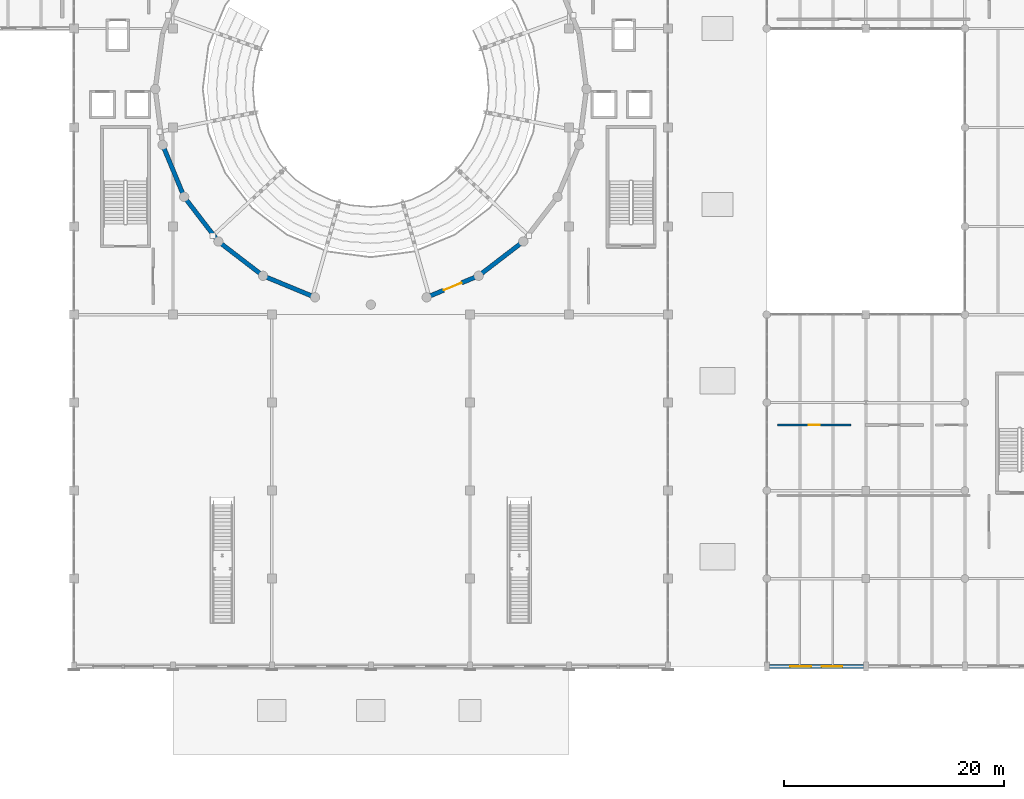
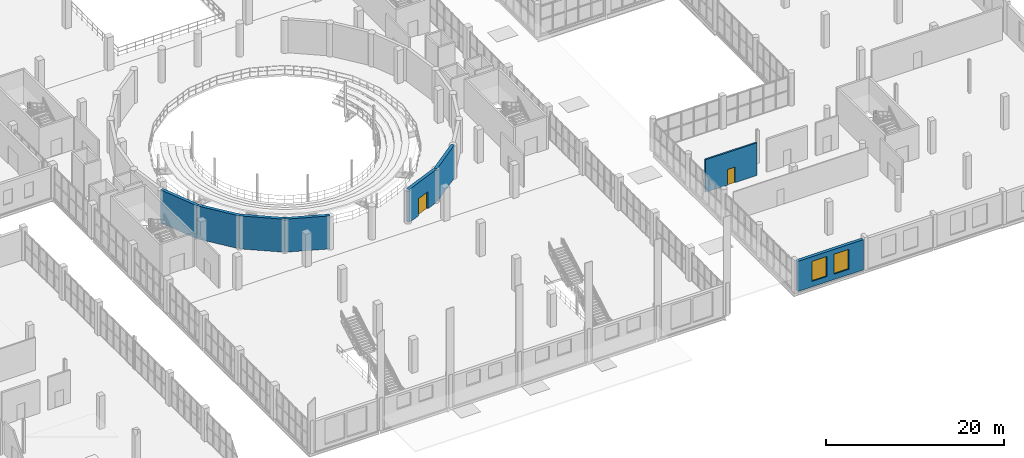
# One storey, part 71 of 93: 8 walls, 2 doors, 2 windows, 4 openings.
"""IFC4 building model written with IfcOpenShell, lengths in metres."""

import ifcopenshell
import ifcopenshell.guid

model = None  # the IFC model being written
_history = None  # IfcOwnerHistory: only IFC2X3 demands one
_inside = {}  # id of a spatial element -> (the spatial element, [elements in it])
_under = {}  # id of a project, library or spatial element -> (it, [spatial elements below it])
_declared = {}  # id of a project -> (the project, [libraries it declares])
_typed = {}  # id of a type object -> (the type object, [elements of that type])
_made_of = {}  # id of a material, layer set ... -> (it, [elements and type objects made of it])


def new_model(schema):
    """Start an empty IFC model of exactly this schema.

    Asked for "IFC4X3", IfcOpenShell would pick the latest addendum, in which some entities
    have other attributes; the version numbers below select the first issue.
    IFC2X3 requires an IfcOwnerHistory on every rooted entity: one is made here for all.
    """
    global model, _history
    if schema == "IFC4X3":
        model = ifcopenshell.file(schema_version=(4, 3, 0, 0))
    else:
        model = ifcopenshell.file(schema=schema)
    _inside.clear()
    _under.clear()
    _declared.clear()
    _typed.clear()
    _made_of.clear()
    _history = None
    if model.schema == "IFC2X3":
        org = make("IfcOrganization", Name="unknown")
        user = make(
            "IfcPersonAndOrganization",
            ThePerson=make("IfcPerson", FamilyName="unknown"),
            TheOrganization=org,
        )
        app = make(
            "IfcApplication",
            ApplicationDeveloper=org,
            Version="unknown",
            ApplicationFullName="unknown",
            ApplicationIdentifier="unknown",
        )
        _history = make(
            "IfcOwnerHistory",
            OwningUser=user,
            OwningApplication=app,
            ChangeAction="ADDED",
            CreationDate=0,
        )
    return model


def make(cls, **values):
    """One entity of the class cls with the attributes given. An attribute that is None is left unset."""
    return model.create_entity(
        cls, **{name: value for name, value in values.items() if value is not None}
    )


def rooted(cls, **values):
    """An entity with a GlobalId (a new one), such as an element, a storey or a relation."""
    return make(cls, GlobalId=ifcopenshell.guid.new(), OwnerHistory=_history, **values)


def si_unit(unit_type, name, prefix=None):
    """IfcSIUnit, for example si_unit("LENGTHUNIT", "METRE", prefix="MILLI")."""
    return make("IfcSIUnit", UnitType=unit_type, Prefix=prefix, Name=name)


def assignment(units):
    """IfcUnitAssignment: the units of a project."""
    return None if units is None else make("IfcUnitAssignment", Units=units)


def point(xyz):
    """IfcCartesianPoint."""
    return None if xyz is None else make("IfcCartesianPoint", Coordinates=xyz)


def direction(xyz):
    """IfcDirection."""
    return None if xyz is None else make("IfcDirection", DirectionRatios=xyz)


def frame(location, z_axis=None, x_axis=None):
    """IfcAxis2Placement3D, a coordinate frame: its origin and axes. An axis left out is left unset."""
    return make(
        "IfcAxis2Placement3D",
        Location=point(location),
        Axis=direction(z_axis),
        RefDirection=direction(x_axis),
    )


def frame_2d(location, x_axis=None):
    """IfcAxis2Placement2D, a coordinate frame in the plane: its origin and x axis."""
    return make(
        "IfcAxis2Placement2D", Location=point(location), RefDirection=direction(x_axis)
    )


def origin():
    """The frame at (0, 0, 0) with its axes left unset."""
    return frame((0.0, 0.0, 0.0))


def place(relative_to, where):
    """IfcLocalPlacement: puts the frame where relative to a parent placement (None: the world)."""
    return make(
        "IfcLocalPlacement", PlacementRelTo=relative_to, RelativePlacement=where
    )


def context(
    kind, dimensions, precision=None, world=None, true_north=None, identifier=None
):
    """IfcGeometricRepresentationContext, for example the 3D "Model" context."""
    return make(
        "IfcGeometricRepresentationContext",
        ContextIdentifier=identifier,
        ContextType=kind,
        CoordinateSpaceDimension=dimensions,
        Precision=precision,
        WorldCoordinateSystem=world,
        TrueNorth=true_north,
    )


def subcontext(parent, identifier, kind, view, scale=None):
    """IfcGeometricRepresentationSubContext, for example "Body" below "Model"."""
    return make(
        "IfcGeometricRepresentationSubContext",
        ContextIdentifier=identifier,
        ContextType=kind,
        ParentContext=parent,
        TargetScale=scale,
        TargetView=view,
    )


def project(units=None, contexts=None):
    """IfcProject with its units and contexts."""
    return rooted(
        "IfcProject",
        Name="project",
        RepresentationContexts=contexts,
        UnitsInContext=assignment(units),
    )


def spatial(cls, under=None, at=None, **own):
    """A site, building, storey or space (cls), placed at a placement, below another one or the project."""
    s = rooted(cls, ObjectPlacement=at, **own)
    if under is not None:
        _under.setdefault(under.id(), (under, []))[1].append(s)
    return s


def profile(cls, at=None, kind="AREA", **sizes):
    """A parametric profile (cls). Its sizes go by their IFC names, for example OverallWidth=200.0."""
    return make(cls, ProfileType=kind, Position=at, **sizes)


def rectangle(**sizes):
    """IfcRectangleProfileDef."""
    return profile("IfcRectangleProfileDef", **sizes)


def extrude(swept, where, along, depth):
    """IfcExtrudedAreaSolid: the profile swept, set in the frame where, extruded along a direction by depth."""
    return make(
        "IfcExtrudedAreaSolid",
        SweptArea=swept,
        Position=where,
        ExtrudedDirection=direction(along),
        Depth=depth,
    )


def shape(context_of_items, identifier, shape_type, items):
    """IfcShapeRepresentation: the items that make up one representation, for example the "Body"."""
    return make(
        "IfcShapeRepresentation",
        ContextOfItems=context_of_items,
        RepresentationIdentifier=identifier,
        RepresentationType=shape_type,
        Items=items,
    )


def material(Name=None, Category=None):
    """IfcMaterial."""
    return make("IfcMaterial", Name=Name, Category=Category)


def layer(
    of_material, thickness, ventilated=None, Name=None, Category=None, Priority=None
):
    """IfcMaterialLayer: one layer of a wall or slab, of a material (None: an air gap)."""
    return make(
        "IfcMaterialLayer",
        Material=of_material,
        LayerThickness=thickness,
        IsVentilated=ventilated,
        Name=Name,
        Category=Category,
        Priority=Priority,
    )


def layer_set(layers, Name=None):
    """IfcMaterialLayerSet."""
    return make("IfcMaterialLayerSet", MaterialLayers=layers, LayerSetName=Name)


def made_of(thing, what):
    """Note that an element or type object is made of a material, layer set ...; save() writes the relation."""
    if what is not None:
        _made_of.setdefault(what.id(), (what, []))[1].append(thing)
    return thing


def type_object(cls, material=None, **own):
    """A type object (cls), such as IfcWallType, which elements share."""
    return made_of(rooted(cls, **own), material)


def element(
    cls,
    number,
    at=None,
    inside=None,
    cuts=None,
    type_object=None,
    material=None,
    context=None,
    identifier="Body",
    shape_type=None,
    held_by="IfcProductDefinitionShape",
    body=None,
    shapes=None,
    **own,
):
    """One element of the class cls, such as IfcWall. Its Tag is "e" and its number.

    at: its placement. inside: the storey or other place that contains it. cuts: it is an
    opening in that element (IfcRelVoidsElement). A single representation is given by context,
    identifier, shape_type and body (its items); several are given by shapes. held_by: the class
    of the entity that holds the representations. save() writes the other relations.
    """
    e = rooted(cls, Tag="e%d" % number, ObjectPlacement=at, **own)
    if body is not None:
        shapes = [shape(context, identifier, shape_type, body)]
    if shapes is not None:
        e.Representation = make(held_by, Representations=shapes)
    if inside is not None:
        _inside.setdefault(inside.id(), (inside, []))[1].append(e)
    if cuts is not None:
        rooted(
            "IfcRelVoidsElement", RelatingBuildingElement=cuts, RelatedOpeningElement=e
        )
    if type_object is not None:
        _typed.setdefault(type_object.id(), (type_object, []))[1].append(e)
    return made_of(e, material)


def fill(opening, filler):
    """IfcRelFillsElement: the door or window that sits in an opening."""
    return rooted(
        "IfcRelFillsElement",
        RelatingOpeningElement=opening,
        RelatedBuildingElement=filler,
    )


def aggregate(whole, parts):
    """IfcRelAggregates: a whole, such as a stair, and the parts it consists of."""
    return rooted("IfcRelAggregates", RelatingObject=whole, RelatedObjects=parts)


def save(model, path):
    """Write the relations noted so far, then the file.

    IfcRelAggregates (storeys below a building ...), IfcRelContainedInSpatialStructure (elements
    in a storey), IfcRelDefinesByType, IfcRelAssociatesMaterial and IfcRelDeclares: one each for
    every whole, place, type object, material and project.
    """
    for whole, parts in _under.values():
        aggregate(whole, parts)
    for where, things in _inside.values():
        rooted(
            "IfcRelContainedInSpatialStructure",
            RelatedElements=things,
            RelatingStructure=where,
        )
    for kind, things in _typed.values():
        rooted("IfcRelDefinesByType", RelatedObjects=things, RelatingType=kind)
    for what, things in _made_of.values():
        rooted("IfcRelAssociatesMaterial", RelatedObjects=things, RelatingMaterial=what)
    for by, libraries in _declared.values():
        rooted("IfcRelDeclares", RelatingContext=by, RelatedDefinitions=libraries)
    model.write(path)


model = new_model("IFC4")

# Units and contexts
model_context = context("Model", 3, precision=1e-05, world=origin(), true_north=direction((0.0, 1.0)))
body_context = subcontext(model_context, "Body", "Model", "MODEL_VIEW")
ifc_project = project(units=[si_unit("LENGTHUNIT", "METRE"), si_unit("AREAUNIT", "SQUARE_METRE"), si_unit("VOLUMEUNIT", "CUBIC_METRE"), si_unit("PLANEANGLEUNIT", "RADIAN"), si_unit("MASSUNIT", "GRAM", prefix="KILO")], contexts=[model_context])

# Site, building, storey
site_placement = place(None, origin())
site = spatial("IfcSite", under=ifc_project, at=site_placement, CompositionType="ELEMENT")
building_placement = place(site_placement, origin())
building = spatial("IfcBuilding", under=site, at=building_placement, Name="Marnock Terrace Opera House", CompositionType="ELEMENT")
storey_placement = place(building_placement, frame((0.0, 0.0, 5.39990234375)))
storey = spatial("IfcBuildingStorey", under=building, at=storey_placement, Name="L01", CompositionType="ELEMENT", Elevation=5.39990234375)

# Wall, openings, windows
ifc_material_1 = material(Name="Basket Range sandstone ashlar masonry", Category="masonry")
ifc_layer_1 = layer(ifc_material_1, 0.389892578125)
ifc_layer_set_1 = layer_set([ifc_layer_1], Name="Basket Range sandstone ashlar masonry")
wall_type_1 = type_object("IfcWallType", Name="EW-ASHLAR-390", PredefinedType="SOLIDWALL", material=ifc_layer_set_1)
wall_1_placement = place(storey_placement, frame((118.220947265625, 8.0, 0.0), z_axis=(0.0, 0.0, 1.0), x_axis=(1.0, 0.0, 0.0)))
wall_1 = element("IfcWall", 1, at=wall_1_placement, inside=storey, type_object=wall_type_1, Name="L01 Volume 5 south sandstone facade 1", PredefinedType="SOLIDWALL", context=body_context, shape_type="SweptSolid", body=[
    extrude(rectangle(XDim=8.55810546875, YDim=0.389892578125, at=frame_2d((4.279052734375, 0.0))), origin(), (0.0, 0.0, 1.0), 4.151611328125),
])
opening_1_placement = place(wall_1_placement, frame((1.902587890625, 0.0, 0.75)))
opening_1 = element("IfcOpeningElement", 2, at=opening_1_placement, cuts=wall_1, Name="Opening WT-25", PredefinedType="OPENING", context=body_context, shape_type="SweptSolid", body=[
    extrude(rectangle(XDim=1.89990234375, YDim=2.75, at=frame_2d((0.949951171875, 1.375))), frame((0.0, 0.204833984375, 0.0), z_axis=(0.0, -1.0, 0.0), x_axis=(1.0, 0.0, 0.0)), (0.0, 0.0, 1.0), 0.409912109375),
])
opening_2_placement = place(wall_1_placement, frame((4.75537109375, 0.0, 0.75)))
opening_2 = element("IfcOpeningElement", 3, at=opening_2_placement, cuts=wall_1, Name="Opening WT-25", PredefinedType="OPENING", context=body_context, shape_type="SweptSolid", body=[
    extrude(rectangle(XDim=1.89990234375, YDim=2.75, at=frame_2d((0.949951171875, 1.375))), frame((0.0, 0.204833984375, 0.0), z_axis=(0.0, -1.0, 0.0), x_axis=(1.0, 0.0, 0.0)), (0.0, 0.0, 1.0), 0.409912109375),
])
ifc_material_2 = material(Name="Double-glazed acoustic low-E laminated glass", Category="glass")
window_type = type_object("IfcWindowType", Name="WT-ARCH-1900", PartitioningType="DOUBLE_PANEL_VERTICAL", PredefinedType="WINDOW", material=ifc_material_2)
window_1_placement = place(opening_1_placement, origin())
window_1 = element("IfcWindow", 4, at=window_1_placement, inside=storey, type_object=window_type, Name="L01 facade window EW-V5S-L01-1.1", OverallHeight=2.75, OverallWidth=1.89990234375, PartitioningType="SINGLE_PANEL", PredefinedType="WINDOW", context=body_context, shape_type="SweptSolid", body=[
    extrude(rectangle(XDim=1.89990234375, YDim=2.75, at=frame_2d((0.949951171875, 1.375))), frame((0.0, 0.030029296875, 0.0), z_axis=(0.0, -1.0, 0.0), x_axis=(1.0, 0.0, 0.0)), (0.0, 0.0, 1.0), 0.06005859375),
])
fill(opening_1, window_1)
window_2_placement = place(opening_2_placement, origin())
window_2 = element("IfcWindow", 5, at=window_2_placement, inside=storey, type_object=window_type, Name="L01 facade window EW-V5S-L01-1.2", OverallHeight=2.75, OverallWidth=1.89990234375, PartitioningType="SINGLE_PANEL", PredefinedType="WINDOW", context=body_context, shape_type="SweptSolid", body=[
    extrude(rectangle(XDim=1.89990234375, YDim=2.75, at=frame_2d((0.949951171875, 1.375))), frame((0.0, 0.030029296875, 0.0), z_axis=(0.0, -1.0, 0.0), x_axis=(1.0, 0.0, 0.0)), (0.0, 0.0, 1.0), 0.06005859375),
])
fill(opening_2, window_2)

# Wall, opening, door
ifc_material_3 = material(Name="Moisture-resistant tiled service duct framing")
ifc_layer_2 = layer(ifc_material_3, 0.205078125)
ifc_layer_set_2 = layer_set([ifc_layer_2], Name="Moisture-resistant tiled service duct framing")
wall_type_2 = type_object("IfcWallType", Name="IW-PLUMB-205", PredefinedType="PLUMBINGWALL", material=ifc_layer_set_2)
wall_2_placement = place(storey_placement, frame((118.949951171875, 29.949951171875, 0.0), z_axis=(0.0, 0.0, 1.0), x_axis=(1.0, 0.0, 0.0)))
wall_2 = element("IfcWall", 6, at=wall_2_placement, inside=storey, type_object=wall_type_2, Name="L01 En-suite Shower and WC L01 Principal acoustic partition wall", PredefinedType="PLUMBINGWALL", context=body_context, shape_type="SweptSolid", body=[
    extrude(rectangle(XDim=6.699951171875, YDim=0.205078125, at=frame_2d((3.35009765625, 0.0))), origin(), (0.0, 0.0, 1.0), 4.489990234375),
])
opening_3_placement = place(wall_2_placement, frame((2.860107421875, 0.0, 0.0)))
opening_3 = element("IfcOpeningElement", 7, at=opening_3_placement, cuts=wall_2, Name="Opening D-L01-22", PredefinedType="OPENING", context=body_context, shape_type="SweptSolid", body=[
    extrude(rectangle(XDim=0.97998046875, YDim=2.139892578125, at=frame_2d((0.489990234375, 1.06982421875))), frame((0.0, 0.112548828125, 0.0), z_axis=(0.0, -1.0, 0.0), x_axis=(1.0, 0.0, 0.0)), (0.0, 0.0, 1.0), 0.22509765625),
])
ifc_material_4 = material(Name="Solid-core Tasmanian oak acoustic door leaf")
door_type_1 = type_object("IfcDoorType", Name="DT-WC-980", OperationType="NOTDEFINED", PredefinedType="DOOR", material=ifc_material_4)
door_1_placement = place(opening_3_placement, origin())
door_1 = element("IfcDoor", 8, at=door_1_placement, inside=storey, type_object=door_type_1, Name="L01 En-suite Shower and WC L01 Principal entrance door", OperationType="SINGLE_SWING_LEFT", OverallHeight=2.139892578125, OverallWidth=0.97998046875, PredefinedType="DOOR", context=body_context, shape_type="SweptSolid", body=[
    extrude(rectangle(XDim=0.97998046875, YDim=2.139892578125, at=frame_2d((0.489990234375, 1.06982421875))), frame((0.0, 0.02490234375, 0.0), z_axis=(0.0, -1.0, 0.0), x_axis=(1.0, 0.0, 0.0)), (0.0, 0.0, 1.0), 0.050048828125),
])
fill(opening_3, door_1)

# Walls
ifc_material_5 = material(Name="Concrete N50 (f'c = 50 MPa)", Category="concrete")
ifc_layer_3 = layer(ifc_material_5, 0.39990234375)
ifc_layer_set_3 = layer_set([ifc_layer_3], Name="Concrete N50 (f'c = 50 MPa)")
wall_type_3 = type_object("IfcWallType", Name="SW-DRUM-400", PredefinedType="SHEAR", material=ifc_layer_set_3)
for number, where, z_axis, x_axis, name in (
    (9, (63.068115234375, 55.427001953125, 0.0), (0.0, 0.0, 1.0), (0.382642581018, -0.923896452635, 0.0), "L01 cylindrical auditorium drum shear wall 14"),
    (10, (65.02587890625, 50.699951171875, 0.0), (0.0, 0.0, 1.0), (0.608857194409, -0.793279847731, 0.0), "L01 cylindrical auditorium drum shear wall 15"),
    (11, (68.14111328125, 46.64111328125, 0.0), (0.0, 0.0, 1.0), (0.793279847731, -0.608857194409, 0.0), "L01 cylindrical auditorium drum shear wall 16"),
    (12, (72.199951171875, 43.52587890625, 0.0), (0.0, 0.0, 1.0), (0.923896452635, -0.382642581018, 0.0), "L01 cylindrical auditorium drum shear wall 17"),
):
    element("IfcWall", number, at=place(storey_placement, frame(where, z_axis=z_axis, x_axis=x_axis)), inside=storey, type_object=wall_type_3, Name=name, PredefinedType="SHEAR", context=body_context, shape_type="SweptSolid", body=[
        extrude(rectangle(XDim=5.116455078125, YDim=0.39990234375, at=frame_2d((2.55810546875, 0.0))), origin(), (0.0, 0.0, 1.0), 4.5400390625),
    ])

# Wall, opening, door
wall_3_placement = place(storey_placement, frame((87.072998046875, 41.568115234375, 0.0), z_axis=(0.0, 0.0, 1.0), x_axis=(0.923896452635, 0.382642581018, 0.0)))
wall_3 = element("IfcWall", 13, at=wall_3_placement, inside=storey, type_object=wall_type_3, Name="L01 cylindrical auditorium drum shear wall 20", PredefinedType="SHEAR", context=body_context, shape_type="SweptSolid", body=[
    extrude(rectangle(XDim=5.116455078125, YDim=0.39990234375, at=frame_2d((2.55810546875, 0.0))), origin(), (0.0, 0.0, 1.0), 4.5400390625),
])
opening_4_placement = place(wall_3_placement, frame((1.68310546875, 0.0, 0.0)))
opening_4 = element("IfcOpeningElement", 14, at=opening_4_placement, cuts=wall_3, Name="Opening AD-L01-19", PredefinedType="OPENING", context=body_context, shape_type="SweptSolid", body=[
    extrude(rectangle(XDim=1.75, YDim=2.35009765625, at=frame_2d((0.875, 1.175048828125))), frame((0.0, 0.2099609375, 0.0), z_axis=(0.0, -1.0, 0.0), x_axis=(1.0, 0.0, 0.0)), (0.0, 0.0, 1.0), 0.419921875),
])
door_type_2 = type_object("IfcDoorType", Name="DT-AUD-1750", OperationType="NOTDEFINED", PredefinedType="DOOR", material=ifc_material_4)
door_2_placement = place(opening_4_placement, origin())
door_2 = element("IfcDoor", 15, at=door_2_placement, inside=storey, type_object=door_type_2, Name="L01 Auditorium sound-lock double door 19", OperationType="DOUBLE_DOOR_SINGLE_SWING", OverallHeight=2.35009765625, OverallWidth=1.75, PredefinedType="DOOR", context=body_context, shape_type="SweptSolid", body=[
    extrude(rectangle(XDim=1.75, YDim=2.35009765625, at=frame_2d((0.875, 1.175048828125))), frame((0.0, 0.02490234375, 0.0), z_axis=(0.0, -1.0, 0.0), x_axis=(1.0, 0.0, 0.0)), (0.0, 0.0, 1.0), 0.050048828125),
])
fill(opening_4, door_2)

# Wall
wall_4_placement = place(storey_placement, frame((91.800048828125, 43.52587890625, 0.0), z_axis=(0.0, 0.0, 1.0), x_axis=(0.793279847731, 0.608857194409, 0.0)))
element("IfcWall", 16, at=wall_4_placement, inside=storey, type_object=wall_type_3, Name="L01 cylindrical auditorium drum shear wall 21", PredefinedType="SHEAR", context=body_context, shape_type="SweptSolid", body=[
    extrude(rectangle(XDim=5.116455078125, YDim=0.39990234375, at=frame_2d((2.55810546875, 0.0))), origin(), (0.0, 0.0, 1.0), 4.5400390625),
])

save(model, "model.ifc")
